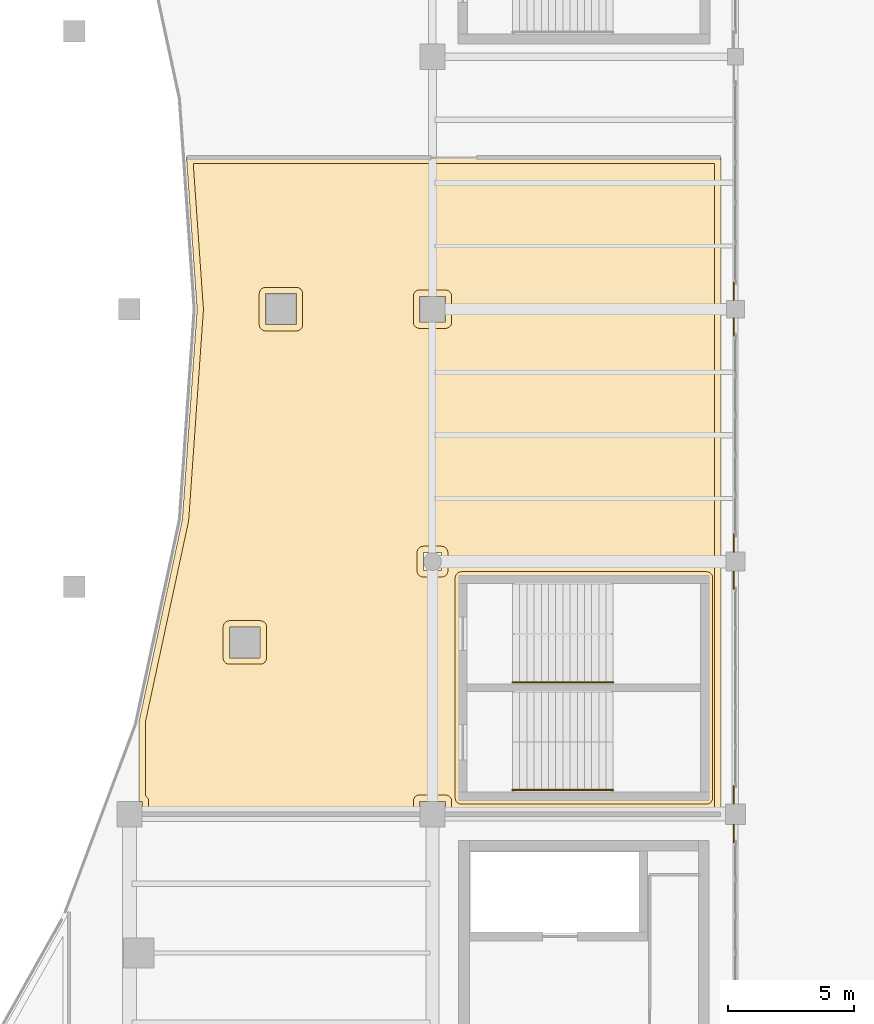
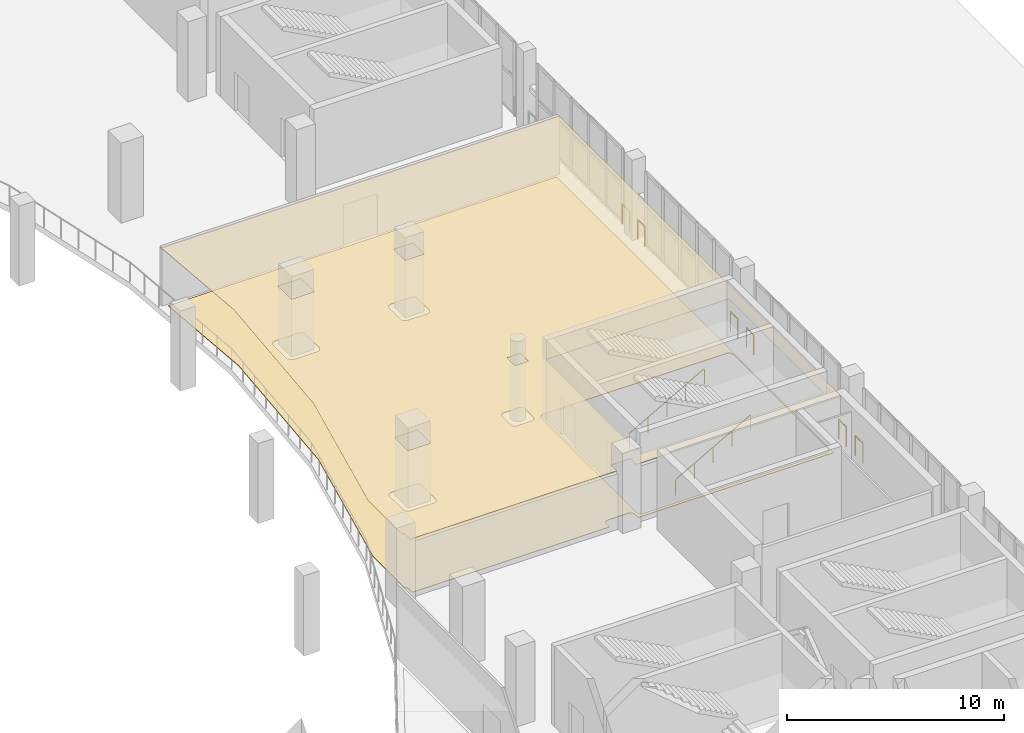
# One storey, part 106 of 108: 8 railings, 2 coverings.
"""IFC4 building model written with IfcOpenShell, lengths in metres."""

import ifcopenshell
import ifcopenshell.guid

model = None  # the IFC model being written
_history = None  # IfcOwnerHistory: only IFC2X3 demands one
_inside = {}  # id of a spatial element -> (the spatial element, [elements in it])
_under = {}  # id of a project, library or spatial element -> (it, [spatial elements below it])
_declared = {}  # id of a project -> (the project, [libraries it declares])
_typed = {}  # id of a type object -> (the type object, [elements of that type])
_made_of = {}  # id of a material, layer set ... -> (it, [elements and type objects made of it])


def new_model(schema):
    """Start an empty IFC model of exactly this schema.

    Asked for "IFC4X3", IfcOpenShell would pick the latest addendum, in which some entities
    have other attributes; the version numbers below select the first issue.
    IFC2X3 requires an IfcOwnerHistory on every rooted entity: one is made here for all.
    """
    global model, _history
    if schema == "IFC4X3":
        model = ifcopenshell.file(schema_version=(4, 3, 0, 0))
    else:
        model = ifcopenshell.file(schema=schema)
    _inside.clear()
    _under.clear()
    _declared.clear()
    _typed.clear()
    _made_of.clear()
    _history = None
    if model.schema == "IFC2X3":
        org = make("IfcOrganization", Name="unknown")
        user = make(
            "IfcPersonAndOrganization",
            ThePerson=make("IfcPerson", FamilyName="unknown"),
            TheOrganization=org,
        )
        app = make(
            "IfcApplication",
            ApplicationDeveloper=org,
            Version="unknown",
            ApplicationFullName="unknown",
            ApplicationIdentifier="unknown",
        )
        _history = make(
            "IfcOwnerHistory",
            OwningUser=user,
            OwningApplication=app,
            ChangeAction="ADDED",
            CreationDate=0,
        )
    return model


def make(cls, **values):
    """One entity of the class cls with the attributes given. An attribute that is None is left unset."""
    return model.create_entity(
        cls, **{name: value for name, value in values.items() if value is not None}
    )


def rooted(cls, **values):
    """An entity with a GlobalId (a new one), such as an element, a storey or a relation."""
    return make(cls, GlobalId=ifcopenshell.guid.new(), OwnerHistory=_history, **values)


def si_unit(unit_type, name, prefix=None):
    """IfcSIUnit, for example si_unit("LENGTHUNIT", "METRE", prefix="MILLI")."""
    return make("IfcSIUnit", UnitType=unit_type, Prefix=prefix, Name=name)


def assignment(units):
    """IfcUnitAssignment: the units of a project."""
    return None if units is None else make("IfcUnitAssignment", Units=units)


def point(xyz):
    """IfcCartesianPoint."""
    return None if xyz is None else make("IfcCartesianPoint", Coordinates=xyz)


def direction(xyz):
    """IfcDirection."""
    return None if xyz is None else make("IfcDirection", DirectionRatios=xyz)


def frame(location, z_axis=None, x_axis=None):
    """IfcAxis2Placement3D, a coordinate frame: its origin and axes. An axis left out is left unset."""
    return make(
        "IfcAxis2Placement3D",
        Location=point(location),
        Axis=direction(z_axis),
        RefDirection=direction(x_axis),
    )


def frame_2d(location, x_axis=None):
    """IfcAxis2Placement2D, a coordinate frame in the plane: its origin and x axis."""
    return make(
        "IfcAxis2Placement2D", Location=point(location), RefDirection=direction(x_axis)
    )


def origin():
    """The frame at (0, 0, 0) with its axes left unset."""
    return frame((0.0, 0.0, 0.0))


def origin_2d():
    """The frame at (0, 0) in the plane with its x axis left unset."""
    return frame_2d((0.0, 0.0))


def place(relative_to, where):
    """IfcLocalPlacement: puts the frame where relative to a parent placement (None: the world)."""
    return make(
        "IfcLocalPlacement", PlacementRelTo=relative_to, RelativePlacement=where
    )


def context(
    kind, dimensions, precision=None, world=None, true_north=None, identifier=None
):
    """IfcGeometricRepresentationContext, for example the 3D "Model" context."""
    return make(
        "IfcGeometricRepresentationContext",
        ContextIdentifier=identifier,
        ContextType=kind,
        CoordinateSpaceDimension=dimensions,
        Precision=precision,
        WorldCoordinateSystem=world,
        TrueNorth=true_north,
    )


def subcontext(parent, identifier, kind, view, scale=None):
    """IfcGeometricRepresentationSubContext, for example "Body" below "Model"."""
    return make(
        "IfcGeometricRepresentationSubContext",
        ContextIdentifier=identifier,
        ContextType=kind,
        ParentContext=parent,
        TargetScale=scale,
        TargetView=view,
    )


def project(units=None, contexts=None):
    """IfcProject with its units and contexts."""
    return rooted(
        "IfcProject",
        Name="project",
        RepresentationContexts=contexts,
        UnitsInContext=assignment(units),
    )


def spatial(cls, under=None, at=None, **own):
    """A site, building, storey or space (cls), placed at a placement, below another one or the project."""
    s = rooted(cls, ObjectPlacement=at, **own)
    if under is not None:
        _under.setdefault(under.id(), (under, []))[1].append(s)
    return s


def polyline(points):
    """IfcPolyline through the points."""
    return make("IfcPolyline", Points=[point(p) for p in points])


def profile(cls, at=None, kind="AREA", **sizes):
    """A parametric profile (cls). Its sizes go by their IFC names, for example OverallWidth=200.0."""
    return make(cls, ProfileType=kind, Position=at, **sizes)


def circle(**sizes):
    """IfcCircleProfileDef."""
    return profile("IfcCircleProfileDef", **sizes)


def outline(outer, holes=None, kind="AREA"):
    """IfcArbitraryClosedProfileDef: a profile drawn as a closed curve; with holes, ...WithVoids."""
    if holes is None:
        return make("IfcArbitraryClosedProfileDef", ProfileType=kind, OuterCurve=outer)
    return make(
        "IfcArbitraryProfileDefWithVoids",
        ProfileType=kind,
        OuterCurve=outer,
        InnerCurves=holes,
    )


def extrude(swept, where, along, depth):
    """IfcExtrudedAreaSolid: the profile swept, set in the frame where, extruded along a direction by depth."""
    return make(
        "IfcExtrudedAreaSolid",
        SweptArea=swept,
        Position=where,
        ExtrudedDirection=direction(along),
        Depth=depth,
    )


def shape(context_of_items, identifier, shape_type, items):
    """IfcShapeRepresentation: the items that make up one representation, for example the "Body"."""
    return make(
        "IfcShapeRepresentation",
        ContextOfItems=context_of_items,
        RepresentationIdentifier=identifier,
        RepresentationType=shape_type,
        Items=items,
    )


def material(Name=None, Category=None):
    """IfcMaterial."""
    return make("IfcMaterial", Name=Name, Category=Category)


def layer(
    of_material, thickness, ventilated=None, Name=None, Category=None, Priority=None
):
    """IfcMaterialLayer: one layer of a wall or slab, of a material (None: an air gap)."""
    return make(
        "IfcMaterialLayer",
        Material=of_material,
        LayerThickness=thickness,
        IsVentilated=ventilated,
        Name=Name,
        Category=Category,
        Priority=Priority,
    )


def layer_set(layers, Name=None):
    """IfcMaterialLayerSet."""
    return make("IfcMaterialLayerSet", MaterialLayers=layers, LayerSetName=Name)


def made_of(thing, what):
    """Note that an element or type object is made of a material, layer set ...; save() writes the relation."""
    if what is not None:
        _made_of.setdefault(what.id(), (what, []))[1].append(thing)
    return thing


def type_object(cls, material=None, **own):
    """A type object (cls), such as IfcWallType, which elements share."""
    return made_of(rooted(cls, **own), material)


def element(
    cls,
    number,
    at=None,
    inside=None,
    cuts=None,
    type_object=None,
    material=None,
    context=None,
    identifier="Body",
    shape_type=None,
    held_by="IfcProductDefinitionShape",
    body=None,
    shapes=None,
    **own,
):
    """One element of the class cls, such as IfcWall. Its Tag is "e" and its number.

    at: its placement. inside: the storey or other place that contains it. cuts: it is an
    opening in that element (IfcRelVoidsElement). A single representation is given by context,
    identifier, shape_type and body (its items); several are given by shapes. held_by: the class
    of the entity that holds the representations. save() writes the other relations.
    """
    e = rooted(cls, Tag="e%d" % number, ObjectPlacement=at, **own)
    if body is not None:
        shapes = [shape(context, identifier, shape_type, body)]
    if shapes is not None:
        e.Representation = make(held_by, Representations=shapes)
    if inside is not None:
        _inside.setdefault(inside.id(), (inside, []))[1].append(e)
    if cuts is not None:
        rooted(
            "IfcRelVoidsElement", RelatingBuildingElement=cuts, RelatedOpeningElement=e
        )
    if type_object is not None:
        _typed.setdefault(type_object.id(), (type_object, []))[1].append(e)
    return made_of(e, material)


def aggregate(whole, parts):
    """IfcRelAggregates: a whole, such as a stair, and the parts it consists of."""
    return rooted("IfcRelAggregates", RelatingObject=whole, RelatedObjects=parts)


def save(model, path):
    """Write the relations noted so far, then the file.

    IfcRelAggregates (storeys below a building ...), IfcRelContainedInSpatialStructure (elements
    in a storey), IfcRelDefinesByType, IfcRelAssociatesMaterial and IfcRelDeclares: one each for
    every whole, place, type object, material and project.
    """
    for whole, parts in _under.values():
        aggregate(whole, parts)
    for where, things in _inside.values():
        rooted(
            "IfcRelContainedInSpatialStructure",
            RelatedElements=things,
            RelatingStructure=where,
        )
    for kind, things in _typed.values():
        rooted("IfcRelDefinesByType", RelatedObjects=things, RelatingType=kind)
    for what, things in _made_of.values():
        rooted("IfcRelAssociatesMaterial", RelatedObjects=things, RelatingMaterial=what)
    for by, libraries in _declared.values():
        rooted("IfcRelDeclares", RelatingContext=by, RelatedDefinitions=libraries)
    model.write(path)


model = new_model("IFC4")

# Units and contexts
model_context = context("Model", 3, precision=1e-05, world=origin(), true_north=direction((0.0, 1.0)))
body_context = subcontext(model_context, "Body", "Model", "MODEL_VIEW")
ifc_project = project(units=[si_unit("LENGTHUNIT", "METRE"), si_unit("AREAUNIT", "SQUARE_METRE"), si_unit("VOLUMEUNIT", "CUBIC_METRE"), si_unit("PLANEANGLEUNIT", "RADIAN"), si_unit("MASSUNIT", "GRAM", prefix="KILO")], contexts=[model_context])

# Site, building, storey
site_placement = place(None, origin())
site = spatial("IfcSite", under=ifc_project, at=site_placement, CompositionType="ELEMENT")
building_placement = place(site_placement, origin())
building = spatial("IfcBuilding", under=site, at=building_placement, Name="Brinegate Civic Arena", CompositionType="ELEMENT")
storey_placement = place(building_placement, frame((0.0, 0.0, 10.199951171875)))
storey = spatial("IfcBuildingStorey", under=building, at=storey_placement, Name="L02", CompositionType="ELEMENT", Elevation=10.199951171875)

# Coverings
ifc_material_1 = material(Name="Acoustic perforated aluminium ceiling", Category="aluminium")
ifc_layer_1 = layer(ifc_material_1, 0.02490234375, Name="Acoustic perforated aluminium ceiling")
ifc_layer_set_1 = layer_set([ifc_layer_1], Name="Acoustic perforated aluminium ceiling")
covering_type_1 = type_object("IfcCoveringType", Name="CEILING-ACOUSTIC-25", PredefinedType="CEILING", material=ifc_layer_set_1)
covering_1_placement = place(storey_placement, frame((0.0, 0.0, 3.22509765625)))
element("IfcCovering", 1, at=covering_1_placement, inside=storey, type_object=covering_type_1, Name="Acoustic Ceiling L02-007", PredefinedType="CEILING", context=body_context, shape_type="SweptSolid", body=[
    extrude(outline(polyline([(167.419921875, 41.99609375), (167.4189453125, 41.993896484375), (167.41796875, 41.991943359375), (167.41796875, 41.990966796875), (167.4169921875, 41.989013671875), (167.4150390625, 41.987060546875), (167.4140625, 41.986083984375), (167.4130859375, 41.985107421875), (167.410888671875, 41.98291015625), (167.408935546875, 41.98193359375), (167.407958984375, 41.98193359375), (167.406005859375, 41.98095703125), (167.404052734375, 41.97998046875), (167.402099609375, 41.97998046875), (167.39990234375, 41.97998046875), (156.510009765625, 41.97998046875), (156.510009765625, 42.510009765625), (155.489990234375, 42.510009765625), (155.489990234375, 41.97998046875), (144.510009765625, 41.97998046875), (144.510009765625, 42.510009765625), (144.3798828125, 42.510009765625), (144.3798828125, 45.6640625), (144.3798828125, 45.666015625), (144.3798828125, 45.66796875), (146.094970703125, 53.654052734375), (146.679931640625, 61.986083984375), (146.259033203125, 67.9990234375), (146.259033203125, 68.0009765625), (146.259033203125, 68.001953125), (146.259033203125, 68.00390625), (146.260009765625, 68.006103515625), (146.260986328125, 68.008056640625), (146.261962890625, 68.010009765625), (146.262939453125, 68.010986328125), (146.263916015625, 68.012939453125), (146.264892578125, 68.013916015625), (146.26611328125, 68.01611328125), (146.26806640625, 68.01708984375), (146.27001953125, 68.01806640625), (146.27099609375, 68.01904296875), (146.27294921875, 68.01904296875), (146.27490234375, 68.02001953125), (146.277099609375, 68.02001953125), (146.279052734375, 68.02001953125), (167.39990234375, 68.02001953125), (167.402099609375, 68.02001953125), (167.404052734375, 68.02001953125), (167.406005859375, 68.01904296875), (167.407958984375, 68.01806640625), (167.408935546875, 68.01806640625), (167.410888671875, 68.01708984375), (167.4130859375, 68.014892578125), (167.4140625, 68.013916015625), (167.4150390625, 68.012939453125), (167.4169921875, 68.010986328125), (167.41796875, 68.009033203125), (167.41796875, 68.008056640625), (167.4189453125, 68.006103515625), (167.419921875, 68.00390625), (167.419921875, 68.001953125), (167.419921875, 68.0), (167.419921875, 42.0), (167.419921875, 41.998046875), (167.419921875, 41.99609375)]), holes=[polyline([(147.958984375, 49.409912109375), (147.958984375, 48.18994140625), (149.178955078125, 48.18994140625), (149.178955078125, 49.409912109375), (147.958984375, 49.409912109375)]), polyline([(157.14990234375, 51.35009765625), (157.14990234375, 42.64990234375), (166.85009765625, 42.64990234375), (166.85009765625, 51.35009765625), (157.14990234375, 51.35009765625)]), polyline([(156.360107421875, 52.360107421875), (155.639892578125, 52.360107421875), (155.639892578125, 51.639892578125), (156.360107421875, 51.639892578125), (156.360107421875, 52.360107421875)]), polyline([(150.610107421875, 62.610107421875), (149.389892578125, 62.610107421875), (149.389892578125, 61.389892578125), (150.610107421875, 61.389892578125), (150.610107421875, 62.610107421875)]), polyline([(156.510009765625, 62.510009765625), (155.489990234375, 62.510009765625), (155.489990234375, 61.489990234375), (156.510009765625, 61.489990234375), (156.510009765625, 62.510009765625)])]), origin(), (0.0, 0.0, 1.0), 0.02490234375),
])
ifc_material_2 = material(Name="Polished coral terrazzo flooring")
ifc_layer_2 = layer(ifc_material_2, 0.028076171875, Name="Polished coral terrazzo flooring")
ifc_layer_set_2 = layer_set([ifc_layer_2], Name="Polished coral terrazzo flooring")
covering_type_2 = type_object("IfcCoveringType", Name="FLOORING-TERRAZZO-28", PredefinedType="FLOORING", material=ifc_layer_set_2)
covering_2_placement = place(storey_placement, origin())
element("IfcCovering", 2, at=covering_2_placement, inside=storey, type_object=covering_type_2, Name="Flooring L02-007", PredefinedType="FLOORING", context=body_context, shape_type="SweptSolid", body=[
    extrude(outline(polyline([(144.6298828125, 45.639892578125), (146.340087890625, 53.60107421875), (146.344970703125, 53.635986328125), (146.928955078125, 61.968017578125), (146.928955078125, 62.0029296875), (146.52587890625, 67.77001953125), (167.169921875, 67.77001953125), (167.169921875, 42.22998046875), (156.760009765625, 42.22998046875), (156.760009765625, 42.510009765625), (156.759033203125, 42.534912109375), (156.7548828125, 42.55908203125), (156.7490234375, 42.5830078125), (156.740966796875, 42.60595703125), (156.72998046875, 42.6279296875), (156.718017578125, 42.64892578125), (156.702880859375, 42.6689453125), (156.68701171875, 42.68701171875), (156.6689453125, 42.702880859375), (156.64892578125, 42.718017578125), (156.6279296875, 42.72998046875), (156.60595703125, 42.740966796875), (156.5830078125, 42.7490234375), (156.55908203125, 42.7548828125), (156.534912109375, 42.759033203125), (156.510009765625, 42.760009765625), (155.489990234375, 42.760009765625), (155.465087890625, 42.759033203125), (155.44091796875, 42.7548828125), (155.4169921875, 42.7490234375), (155.39404296875, 42.740966796875), (155.3720703125, 42.72998046875), (155.35107421875, 42.718017578125), (155.3310546875, 42.702880859375), (155.31298828125, 42.68701171875), (155.297119140625, 42.6689453125), (155.281982421875, 42.64892578125), (155.27001953125, 42.6279296875), (155.259033203125, 42.60595703125), (155.2509765625, 42.5830078125), (155.2451171875, 42.55908203125), (155.240966796875, 42.534912109375), (155.239990234375, 42.510009765625), (155.239990234375, 42.22998046875), (144.760009765625, 42.22998046875), (144.760009765625, 42.510009765625), (144.759033203125, 42.534912109375), (144.7548828125, 42.55908203125), (144.7490234375, 42.5830078125), (144.740966796875, 42.60595703125), (144.72998046875, 42.6279296875), (144.718017578125, 42.64892578125), (144.702880859375, 42.6689453125), (144.68701171875, 42.68701171875), (144.6689453125, 42.702880859375), (144.64892578125, 42.718017578125), (144.6298828125, 42.72900390625), (144.6298828125, 45.639892578125)]), holes=[polyline([(157.14990234375, 51.60009765625), (157.125, 51.59912109375), (157.10107421875, 51.594970703125), (157.076904296875, 51.589111328125), (157.053955078125, 51.5810546875), (157.031982421875, 51.570068359375), (157.010986328125, 51.55810546875), (156.990966796875, 51.54296875), (156.972900390625, 51.527099609375), (156.95703125, 51.509033203125), (156.94189453125, 51.489013671875), (156.929931640625, 51.468017578125), (156.9189453125, 51.446044921875), (156.910888671875, 51.423095703125), (156.905029296875, 51.39892578125), (156.90087890625, 51.375), (156.89990234375, 51.35009765625), (156.89990234375, 42.64990234375), (156.90087890625, 42.625), (156.905029296875, 42.60107421875), (156.910888671875, 42.576904296875), (156.9189453125, 42.553955078125), (156.929931640625, 42.531982421875), (156.94189453125, 42.510986328125), (156.95703125, 42.490966796875), (156.972900390625, 42.472900390625), (156.990966796875, 42.45703125), (157.010986328125, 42.44189453125), (157.031982421875, 42.429931640625), (157.053955078125, 42.4189453125), (157.076904296875, 42.410888671875), (157.10107421875, 42.405029296875), (157.125, 42.40087890625), (157.14990234375, 42.39990234375), (166.85009765625, 42.39990234375), (166.875, 42.40087890625), (166.89892578125, 42.405029296875), (166.923095703125, 42.410888671875), (166.946044921875, 42.4189453125), (166.968017578125, 42.429931640625), (166.989013671875, 42.44189453125), (167.009033203125, 42.45703125), (167.027099609375, 42.472900390625), (167.04296875, 42.490966796875), (167.05810546875, 42.510986328125), (167.070068359375, 42.531982421875), (167.0810546875, 42.553955078125), (167.089111328125, 42.576904296875), (167.094970703125, 42.60107421875), (167.09912109375, 42.625), (167.10009765625, 42.64990234375), (167.10009765625, 51.35009765625), (167.09912109375, 51.375), (167.094970703125, 51.39892578125), (167.089111328125, 51.423095703125), (167.0810546875, 51.446044921875), (167.070068359375, 51.468017578125), (167.05810546875, 51.489013671875), (167.04296875, 51.509033203125), (167.027099609375, 51.527099609375), (167.009033203125, 51.54296875), (166.989013671875, 51.55810546875), (166.968017578125, 51.570068359375), (166.946044921875, 51.5810546875), (166.923095703125, 51.589111328125), (166.89892578125, 51.594970703125), (166.875, 51.59912109375), (166.85009765625, 51.60009765625), (157.14990234375, 51.60009765625)]), polyline([(156.760009765625, 62.510009765625), (156.759033203125, 62.534912109375), (156.7548828125, 62.55908203125), (156.7490234375, 62.5830078125), (156.740966796875, 62.60595703125), (156.72998046875, 62.6279296875), (156.718017578125, 62.64892578125), (156.702880859375, 62.6689453125), (156.68701171875, 62.68701171875), (156.6689453125, 62.702880859375), (156.64892578125, 62.718017578125), (156.6279296875, 62.72998046875), (156.60595703125, 62.740966796875), (156.5830078125, 62.7490234375), (156.55908203125, 62.7548828125), (156.534912109375, 62.759033203125), (156.510009765625, 62.760009765625), (155.489990234375, 62.760009765625), (155.465087890625, 62.759033203125), (155.44091796875, 62.7548828125), (155.4169921875, 62.7490234375), (155.39404296875, 62.740966796875), (155.3720703125, 62.72998046875), (155.35107421875, 62.718017578125), (155.3310546875, 62.702880859375), (155.31298828125, 62.68701171875), (155.297119140625, 62.6689453125), (155.281982421875, 62.64892578125), (155.27001953125, 62.6279296875), (155.259033203125, 62.60595703125), (155.2509765625, 62.5830078125), (155.2451171875, 62.55908203125), (155.240966796875, 62.534912109375), (155.239990234375, 62.510009765625), (155.239990234375, 61.489990234375), (155.240966796875, 61.465087890625), (155.2451171875, 61.44091796875), (155.2509765625, 61.4169921875), (155.259033203125, 61.39404296875), (155.27001953125, 61.3720703125), (155.281982421875, 61.35107421875), (155.297119140625, 61.3310546875), (155.31298828125, 61.31298828125), (155.3310546875, 61.297119140625), (155.35107421875, 61.281982421875), (155.3720703125, 61.27001953125), (155.39404296875, 61.259033203125), (155.4169921875, 61.2509765625), (155.44091796875, 61.2451171875), (155.465087890625, 61.240966796875), (155.489990234375, 61.239990234375), (156.510009765625, 61.239990234375), (156.534912109375, 61.240966796875), (156.55908203125, 61.2451171875), (156.5830078125, 61.2509765625), (156.60595703125, 61.259033203125), (156.6279296875, 61.27001953125), (156.64892578125, 61.281982421875), (156.6689453125, 61.297119140625), (156.68701171875, 61.31298828125), (156.702880859375, 61.3310546875), (156.718017578125, 61.35107421875), (156.72998046875, 61.3720703125), (156.740966796875, 61.39404296875), (156.7490234375, 61.4169921875), (156.7548828125, 61.44091796875), (156.759033203125, 61.465087890625), (156.760009765625, 61.489990234375), (156.760009765625, 62.510009765625)]), polyline([(156.610107421875, 52.360107421875), (156.60888671875, 52.385009765625), (156.60498046875, 52.408935546875), (156.59912109375, 52.43310546875), (156.591064453125, 52.4560546875), (156.580078125, 52.47802734375), (156.568115234375, 52.4990234375), (156.552978515625, 52.51904296875), (156.537109375, 52.537109375), (156.51904296875, 52.552978515625), (156.4990234375, 52.568115234375), (156.47802734375, 52.580078125), (156.4560546875, 52.591064453125), (156.43310546875, 52.59912109375), (156.408935546875, 52.60498046875), (156.385009765625, 52.60888671875), (156.360107421875, 52.610107421875), (155.639892578125, 52.610107421875), (155.614990234375, 52.60888671875), (155.591064453125, 52.60498046875), (155.56689453125, 52.59912109375), (155.5439453125, 52.591064453125), (155.52197265625, 52.580078125), (155.5009765625, 52.568115234375), (155.48095703125, 52.552978515625), (155.462890625, 52.537109375), (155.447021484375, 52.51904296875), (155.431884765625, 52.4990234375), (155.419921875, 52.47802734375), (155.408935546875, 52.4560546875), (155.40087890625, 52.43310546875), (155.39501953125, 52.408935546875), (155.39111328125, 52.385009765625), (155.389892578125, 52.360107421875), (155.389892578125, 51.639892578125), (155.39111328125, 51.614990234375), (155.39501953125, 51.591064453125), (155.40087890625, 51.56689453125), (155.408935546875, 51.5439453125), (155.419921875, 51.52197265625), (155.431884765625, 51.5009765625), (155.447021484375, 51.48095703125), (155.462890625, 51.462890625), (155.48095703125, 51.447021484375), (155.5009765625, 51.431884765625), (155.52197265625, 51.419921875), (155.5439453125, 51.408935546875), (155.56689453125, 51.40087890625), (155.591064453125, 51.39501953125), (155.614990234375, 51.39111328125), (155.639892578125, 51.389892578125), (156.360107421875, 51.389892578125), (156.385009765625, 51.39111328125), (156.408935546875, 51.39501953125), (156.43310546875, 51.40087890625), (156.4560546875, 51.408935546875), (156.47802734375, 51.419921875), (156.4990234375, 51.431884765625), (156.51904296875, 51.447021484375), (156.537109375, 51.462890625), (156.552978515625, 51.48095703125), (156.568115234375, 51.5009765625), (156.580078125, 51.52197265625), (156.591064453125, 51.5439453125), (156.59912109375, 51.56689453125), (156.60498046875, 51.591064453125), (156.60888671875, 51.614990234375), (156.610107421875, 51.639892578125), (156.610107421875, 52.360107421875)]), polyline([(150.860107421875, 62.610107421875), (150.85888671875, 62.635009765625), (150.85498046875, 62.658935546875), (150.84912109375, 62.68310546875), (150.841064453125, 62.7060546875), (150.830078125, 62.72802734375), (150.818115234375, 62.7490234375), (150.802978515625, 62.76904296875), (150.787109375, 62.787109375), (150.76904296875, 62.802978515625), (150.7490234375, 62.818115234375), (150.72802734375, 62.830078125), (150.7060546875, 62.841064453125), (150.68310546875, 62.84912109375), (150.658935546875, 62.85498046875), (150.635009765625, 62.85888671875), (150.610107421875, 62.860107421875), (149.389892578125, 62.860107421875), (149.364990234375, 62.85888671875), (149.341064453125, 62.85498046875), (149.31689453125, 62.84912109375), (149.2939453125, 62.841064453125), (149.27197265625, 62.830078125), (149.2509765625, 62.818115234375), (149.23095703125, 62.802978515625), (149.212890625, 62.787109375), (149.197021484375, 62.76904296875), (149.181884765625, 62.7490234375), (149.169921875, 62.72802734375), (149.158935546875, 62.7060546875), (149.15087890625, 62.68310546875), (149.14501953125, 62.658935546875), (149.14111328125, 62.635009765625), (149.139892578125, 62.610107421875), (149.139892578125, 61.389892578125), (149.14111328125, 61.364990234375), (149.14501953125, 61.341064453125), (149.15087890625, 61.31689453125), (149.158935546875, 61.2939453125), (149.169921875, 61.27197265625), (149.181884765625, 61.2509765625), (149.197021484375, 61.23095703125), (149.212890625, 61.212890625), (149.23095703125, 61.197021484375), (149.2509765625, 61.181884765625), (149.27197265625, 61.169921875), (149.2939453125, 61.158935546875), (149.31689453125, 61.15087890625), (149.341064453125, 61.14501953125), (149.364990234375, 61.14111328125), (149.389892578125, 61.139892578125), (150.610107421875, 61.139892578125), (150.635009765625, 61.14111328125), (150.658935546875, 61.14501953125), (150.68310546875, 61.15087890625), (150.7060546875, 61.158935546875), (150.72802734375, 61.169921875), (150.7490234375, 61.181884765625), (150.76904296875, 61.197021484375), (150.787109375, 61.212890625), (150.802978515625, 61.23095703125), (150.818115234375, 61.2509765625), (150.830078125, 61.27197265625), (150.841064453125, 61.2939453125), (150.84912109375, 61.31689453125), (150.85498046875, 61.341064453125), (150.85888671875, 61.364990234375), (150.860107421875, 61.389892578125), (150.860107421875, 62.610107421875)]), polyline([(147.958984375, 49.659912109375), (147.93408203125, 49.658935546875), (147.909912109375, 49.655029296875), (147.885986328125, 49.64892578125), (147.863037109375, 49.64111328125), (147.841064453125, 49.6298828125), (147.820068359375, 49.617919921875), (147.800048828125, 49.60302734375), (147.781982421875, 49.5869140625), (147.76611328125, 49.569091796875), (147.7509765625, 49.549072265625), (147.739013671875, 49.528076171875), (147.72802734375, 49.506103515625), (147.719970703125, 49.48291015625), (147.714111328125, 49.458984375), (147.7099609375, 49.43505859375), (147.708984375, 49.409912109375), (147.708984375, 48.18994140625), (147.7099609375, 48.1650390625), (147.714111328125, 48.14111328125), (147.719970703125, 48.116943359375), (147.72802734375, 48.093994140625), (147.739013671875, 48.072021484375), (147.7509765625, 48.051025390625), (147.76611328125, 48.031005859375), (147.781982421875, 48.012939453125), (147.800048828125, 47.9970703125), (147.820068359375, 47.98193359375), (147.841064453125, 47.969970703125), (147.863037109375, 47.958984375), (147.885986328125, 47.950927734375), (147.909912109375, 47.945068359375), (147.93408203125, 47.94091796875), (147.958984375, 47.93994140625), (149.178955078125, 47.93994140625), (149.2041015625, 47.94091796875), (149.22802734375, 47.945068359375), (149.251953125, 47.950927734375), (149.27490234375, 47.958984375), (149.297119140625, 47.969970703125), (149.318115234375, 47.98193359375), (149.337890625, 47.9970703125), (149.35595703125, 48.012939453125), (149.3720703125, 48.031005859375), (149.386962890625, 48.051025390625), (149.39892578125, 48.072021484375), (149.409912109375, 48.093994140625), (149.41796875, 48.116943359375), (149.424072265625, 48.14111328125), (149.427978515625, 48.1650390625), (149.428955078125, 48.18994140625), (149.428955078125, 49.409912109375), (149.427978515625, 49.43505859375), (149.424072265625, 49.458984375), (149.41796875, 49.48291015625), (149.409912109375, 49.506103515625), (149.39892578125, 49.528076171875), (149.386962890625, 49.549072265625), (149.3720703125, 49.569091796875), (149.35595703125, 49.5869140625), (149.337890625, 49.60302734375), (149.318115234375, 49.617919921875), (149.297119140625, 49.6298828125), (149.27490234375, 49.64111328125), (149.251953125, 49.64892578125), (149.22802734375, 49.655029296875), (149.2041015625, 49.658935546875), (149.178955078125, 49.659912109375), (147.958984375, 49.659912109375)])]), origin(), (0.0, 0.0, 1.0), 0.028076171875),
])

# Railings
ifc_material_3 = material(Name="Architectural stainless steel balustrade", Category="steel")
railing_type_1 = type_object("IfcRailingType", Name="RAIL-STAIR-HANDRAIL-900", PredefinedType="HANDRAIL", material=ifc_material_3)
for number, where, name in (
    (3, (159.169921875, 42.955078125, 0.0), "Stair Pitch Handrail ST-10A L02"),
    (4, (159.169921875, 47.22509765625, 0.0), "Stair Pitch Handrail ST-10B L02"),
):
    element("IfcRailing", number, at=place(storey_placement, frame(where)), inside=storey, type_object=railing_type_1, Name=name, PredefinedType="HANDRAIL", context=body_context, shape_type="SweptSolid", body=[
        extrude(circle(Radius=0.02392578125, at=origin_2d()), frame((0.001220703125, 0.0, 0.876708984375), z_axis=(0.871049806155, 0.0, 0.491194701923), x_axis=(0.0, 1.0, 0.0)), (0.0, 0.0, 1.0), 4.57763671875),
        extrude(circle(Radius=0.02099609375, at=origin_2d()), origin(), (0.0, 0.0, 1.0), 0.849853515625),
        extrude(circle(Radius=0.02099609375, at=origin_2d()), frame((0.99755859375, 0.0, 0.5625)), (0.0, 0.0, 1.0), 0.849853515625),
        extrude(circle(Radius=0.02099609375, at=origin_2d()), frame((1.9951171875, 0.0, 1.125)), (0.0, 0.0, 1.0), 0.849853515625),
        extrude(circle(Radius=0.02099609375, at=origin_2d()), frame((2.992431640625, 0.0, 1.6875)), (0.0, 0.0, 1.0), 0.849853515625),
        extrude(circle(Radius=0.02099609375, at=origin_2d()), frame((3.989990234375, 0.0, 2.25)), (0.0, 0.0, 1.0), 0.849853515625),
    ])
railing_type_2 = type_object("IfcRailingType", Name="RAIL-VOID-BALUSTRADE-1120", PredefinedType="BALUSTRADE", material=ifc_material_3)
for number, where, name in (
    (5, (167.929931640625, 63.044921875, 0.0), "Deck Edge Balustrade L02-166"),
    (6, (167.929931640625, 61.6298828125, 0.0), "Deck Edge Balustrade L02-167"),
):
    element("IfcRailing", number, at=place(storey_placement, frame(where)), inside=storey, type_object=railing_type_2, Name=name, PredefinedType="BALUSTRADE", context=body_context, shape_type="SweptSolid", body=[
        extrude(circle(Radius=0.02392578125, at=origin_2d()), frame((0.0, -0.00146484375, 1.09619140625), z_axis=(0.0, -1.0, 0.0), x_axis=(1.0, 0.0, 0.0)), (0.0, 0.0, 1.0), 0.671875),
        extrude(circle(Radius=0.02099609375, at=origin_2d()), origin(), (0.0, 0.0, 1.0), 1.070068359375),
        extrude(circle(Radius=0.02099609375, at=origin_2d()), frame((0.0, -0.6748046875, 0.0)), (0.0, 0.0, 1.0), 1.070068359375),
    ])
for number, where, name in (
    (7, (167.929931640625, 53.080078125, 0.0), "Deck Edge Balustrade L02-168"),
    (8, (167.929931640625, 51.60498046875, 0.0), "Deck Edge Balustrade L02-169"),
):
    element("IfcRailing", number, at=place(storey_placement, frame(where)), inside=storey, type_object=railing_type_2, Name=name, PredefinedType="BALUSTRADE", context=body_context, shape_type="SweptSolid", body=[
        extrude(circle(Radius=0.02392578125, at=origin_2d()), frame((0.0, -0.00146484375, 1.09619140625), z_axis=(0.0, -1.0, 0.0), x_axis=(1.0, 0.0, 0.0)), (0.0, 0.0, 1.0), 0.68212890625),
        extrude(circle(Radius=0.02099609375, at=origin_2d()), origin(), (0.0, 0.0, 1.0), 1.070068359375),
        extrude(circle(Radius=0.02099609375, at=origin_2d()), frame((0.0, -0.68505859375, 0.0)), (0.0, 0.0, 1.0), 1.070068359375),
    ])
for number, where, name in (
    (9, (167.929931640625, 43.115966796875, 0.0), "Deck Edge Balustrade L02-170"),
    (10, (167.929931640625, 41.580078125, 0.0), "Deck Edge Balustrade L02-171"),
):
    element("IfcRailing", number, at=place(storey_placement, frame(where)), inside=storey, type_object=railing_type_2, Name=name, PredefinedType="BALUSTRADE", context=body_context, shape_type="SweptSolid", body=[
        extrude(circle(Radius=0.02392578125, at=origin_2d()), frame((0.0, -0.00146484375, 1.09619140625), z_axis=(0.0, -1.0, 0.0), x_axis=(1.0, 0.0, 0.0)), (0.0, 0.0, 1.0), 0.693115234375),
        extrude(circle(Radius=0.02099609375, at=origin_2d()), origin(), (0.0, 0.0, 1.0), 1.070068359375),
        extrude(circle(Radius=0.02099609375, at=origin_2d()), frame((0.0, -0.696044921875, 0.0)), (0.0, 0.0, 1.0), 1.070068359375),
    ])

save(model, "model.ifc")
